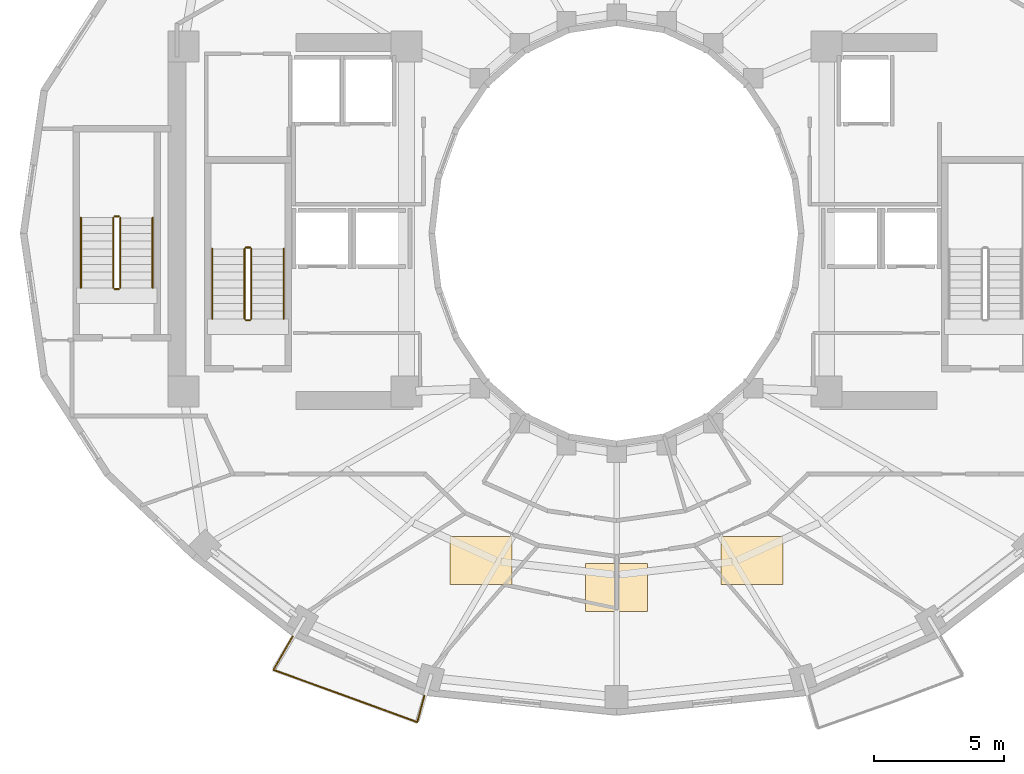
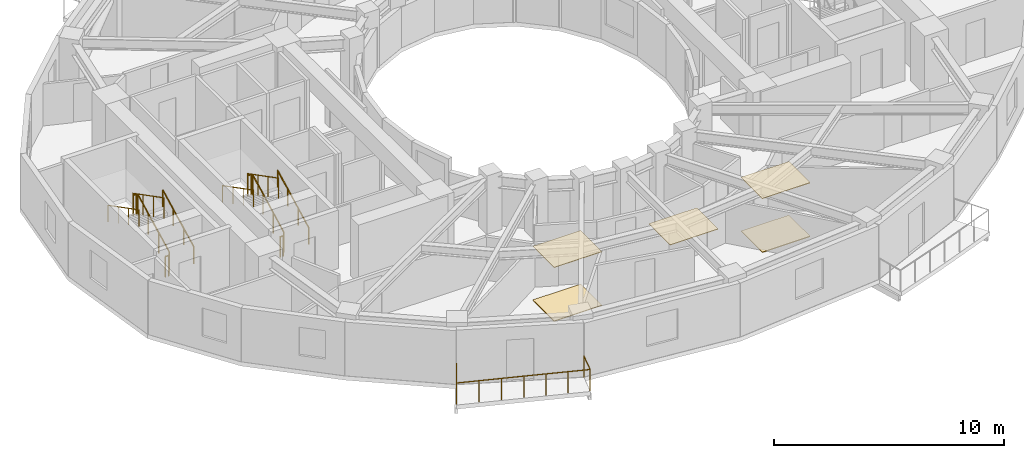
# One storey, part 8 of 10: 13 railings, 5 coverings.
"""IFC4 building model written with IfcOpenShell, lengths in metres."""

from ifc_helpers import new_model, si_unit, direction, frame, origin, origin_2d, place, context, subcontext, project, spatial, polyline, circle, outline, extrude, material, layer, layer_set, type_object, element, save


model = new_model("IFC4")

# Units and contexts
model_context = context("Model", 3, precision=1e-05, world=origin(), true_north=direction((0.0, 1.0)))
body_context = subcontext(model_context, "Body", "Model", "MODEL_VIEW")
ifc_project = project(units=[si_unit("LENGTHUNIT", "METRE"), si_unit("AREAUNIT", "SQUARE_METRE"), si_unit("VOLUMEUNIT", "CUBIC_METRE"), si_unit("PLANEANGLEUNIT", "RADIAN"), si_unit("MASSUNIT", "GRAM", prefix="KILO")], contexts=[model_context])

# Site, building, storey
site_placement = place(None, origin())
site = spatial("IfcSite", under=ifc_project, at=site_placement, CompositionType="ELEMENT")
building_placement = place(site_placement, origin())
building = spatial("IfcBuilding", under=site, at=building_placement, Name="Solvane Sanctuary Tower", CompositionType="ELEMENT")
storey_placement = place(building_placement, frame((0.0, 0.0, 146.699951171875)))
storey = spatial("IfcBuildingStorey", under=building, at=storey_placement, Name="L44", CompositionType="ELEMENT", Elevation=146.699951171875)

# Coverings
ifc_material_1 = material(Name="Acoustic Gypsum Partition Board")
ifc_layer_1 = layer(ifc_material_1, 0.02490234375, Name="Acoustic Gypsum Partition Board")
ifc_layer_set_1 = layer_set([ifc_layer_1], Name="Acoustic Gypsum Partition Board")
covering_type_1 = type_object("IfcCoveringType", Name="Covering CLG-ACOUST", PredefinedType="CEILING", material=ifc_layer_set_1)
covering_1_placement = place(storey_placement, frame((0.0, 0.0, 2.85009765625)))
element("IfcCovering", 1, at=covering_1_placement, inside=storey, type_object=covering_type_1, Name="L44 Unit Acoustic Ceiling Panel 5", PredefinedType="CEILING", context=body_context, shape_type="SweptSolid", body=[
    extrude(outline(polyline([(25.575927734375, 9.464111328125), (27.97607421875, 9.464111328125), (27.97607421875, 11.31396484375), (25.575927734375, 11.31396484375), (25.575927734375, 9.464111328125)])), origin(), (0.0, 0.0, 1.0), 0.030029296875),
])
covering_2_placement = place(storey_placement, frame((0.0, 0.0, 2.85009765625)))
element("IfcCovering", 2, at=covering_2_placement, inside=storey, type_object=covering_type_1, Name="L44 Unit Acoustic Ceiling Panel 6", PredefinedType="CEILING", context=body_context, shape_type="SweptSolid", body=[
    extrude(outline(polyline([(30.800048828125, 8.425048828125), (33.199951171875, 8.425048828125), (33.199951171875, 10.27490234375), (30.800048828125, 10.27490234375), (30.800048828125, 8.425048828125)])), origin(), (0.0, 0.0, 1.0), 0.030029296875),
])
covering_3_placement = place(storey_placement, frame((0.0, 0.0, 2.85009765625)))
element("IfcCovering", 3, at=covering_3_placement, inside=storey, type_object=covering_type_1, Name="L44 Unit Acoustic Ceiling Panel 7", PredefinedType="CEILING", context=body_context, shape_type="SweptSolid", body=[
    extrude(outline(polyline([(36.02392578125, 9.464111328125), (38.424072265625, 9.464111328125), (38.424072265625, 11.31396484375), (36.02392578125, 11.31396484375), (36.02392578125, 9.464111328125)])), origin(), (0.0, 0.0, 1.0), 0.030029296875),
])
ifc_material_2 = material(Name="Ceramic Tile Finish")
ifc_layer_2 = layer(ifc_material_2, 0.030029296875, Name="Ceramic Tile Finish")
ifc_layer_set_2 = layer_set([ifc_layer_2], Name="Ceramic Tile Finish")
covering_type_2 = type_object("IfcCoveringType", Name="Covering FLR-TERRAZZO", PredefinedType="FLOORING", material=ifc_layer_set_2)
covering_4_placement = place(storey_placement, origin())
element("IfcCovering", 4, at=covering_4_placement, inside=storey, type_object=covering_type_2, Name="L44 Unit Terrazzo Inlay 5", PredefinedType="FLOORING", context=body_context, shape_type="SweptSolid", body=[
    extrude(outline(polyline([(25.575927734375, 9.464111328125), (27.97607421875, 9.464111328125), (27.97607421875, 11.31396484375), (25.575927734375, 11.31396484375), (25.575927734375, 9.464111328125)])), origin(), (0.0, 0.0, 1.0), 0.03515625),
])
covering_5_placement = place(storey_placement, origin())
element("IfcCovering", 5, at=covering_5_placement, inside=storey, type_object=covering_type_2, Name="L44 Unit Terrazzo Inlay 7", PredefinedType="FLOORING", context=body_context, shape_type="SweptSolid", body=[
    extrude(outline(polyline([(36.02392578125, 9.464111328125), (38.424072265625, 9.464111328125), (38.424072265625, 11.31396484375), (36.02392578125, 11.31396484375), (36.02392578125, 9.464111328125)])), origin(), (0.0, 0.0, 1.0), 0.03515625),
])

# Railings
ifc_material_3 = material(Name="Architectural Stainless Steel 316", Category="steel")
railing_type_1 = type_object("IfcRailingType", Name="Railing GR-BALC-1150", PredefinedType="BALUSTRADE", material=ifc_material_3)
railing_1_placement = place(storey_placement, frame((19.510986328125, 7.4541015625, 0.0)))
element("IfcRailing", 6, at=railing_1_placement, inside=storey, type_object=railing_type_1, Name="L44 Wave Balcony Balustrade S1", PredefinedType="BALUSTRADE", context=body_context, shape_type="SweptSolid", body=[
    extrude(circle(Radius=0.02392578125, at=origin_2d()), frame((0.0, 0.0, 1.1259765625), z_axis=(-0.500050045296, -0.865996508191, 0.0), x_axis=(0.865996508191, -0.500050045296, 0.0)), (0.0, 0.0, 1.0), 1.483642578125),
    extrude(circle(Radius=0.02392578125, at=origin_2d()), frame((-0.741943359375, -1.284912109375, 1.1259765625), z_axis=(0.940480447831, -0.339847800122, 0.0), x_axis=(0.339847800122, 0.940480447831, 0.0)), (0.0, 0.0, 1.0), 2.979736328125),
    extrude(circle(Radius=0.02392578125, at=origin_2d()), frame((2.060546875, -2.297607421875, 1.1259765625), z_axis=(0.938941980795, -0.344075510173, 0.0), x_axis=(0.344075510173, 0.938941980795, 0.0)), (0.0, 0.0, 1.0), 2.92333984375),
    extrude(circle(Radius=0.02392578125, at=origin_2d()), frame((4.805419921875, -3.303466796875, 1.1259765625), z_axis=(0.258770762506, 0.965938762278, 0.0), x_axis=(-0.965938762278, 0.258770762506, 0.0)), (0.0, 0.0, 1.0), 1.0556640625),
    extrude(circle(Radius=0.02099609375, at=origin_2d()), origin(), (0.0, 0.0, 1.0), 1.101806640625),
    extrude(circle(Radius=0.02099609375, at=origin_2d()), frame((-0.37109375, -0.642578125, 0.0)), (0.0, 0.0, 1.0), 1.101806640625),
    extrude(circle(Radius=0.02099609375, at=origin_2d()), frame((-0.741943359375, -1.284912109375, 0.0)), (0.0, 0.0, 1.0), 1.101806640625),
    extrude(circle(Radius=0.02099609375, at=origin_2d()), frame((0.192138671875, -1.62255859375, 0.0)), (0.0, 0.0, 1.0), 1.101806640625),
    extrude(circle(Radius=0.02099609375, at=origin_2d()), frame((1.12646484375, -1.9599609375, 0.0)), (0.0, 0.0, 1.0), 1.101806640625),
    extrude(circle(Radius=0.02099609375, at=origin_2d()), frame((2.060546875, -2.297607421875, 0.0)), (0.0, 0.0, 1.0), 1.101806640625),
    extrude(circle(Radius=0.02099609375, at=origin_2d()), frame((2.9755859375, -2.6328125, 0.0)), (0.0, 0.0, 1.0), 1.101806640625),
    extrude(circle(Radius=0.02099609375, at=origin_2d()), frame((3.890380859375, -2.96826171875, 0.0)), (0.0, 0.0, 1.0), 1.101806640625),
    extrude(circle(Radius=0.02099609375, at=origin_2d()), frame((4.805419921875, -3.303466796875, 0.0)), (0.0, 0.0, 1.0), 1.101806640625),
    extrude(circle(Radius=0.02099609375, at=origin_2d()), frame((5.07861328125, -2.28369140625, 0.0)), (0.0, 0.0, 1.0), 1.101806640625),
])
railing_2_placement = place(storey_placement, frame((17.919921875, 19.699951171875, 0.155029296875)))
element("IfcRailing", 7, at=railing_2_placement, inside=storey, type_object=railing_type_1, Name="L44 ST-1 stair guard 1", PredefinedType="BALUSTRADE", context=body_context, shape_type="SweptSolid", body=[
    extrude(circle(Radius=0.02392578125, at=origin_2d()), frame((0.0, 0.0, 1.076171875), z_axis=(0.0, 0.888419900624, 0.459031676658), x_axis=(-1.0, 0.0, 0.0)), (0.0, 0.0, 1.0), 3.0390625),
    extrude(circle(Radius=0.02099609375, at=origin_2d()), origin(), (0.0, 0.0, 1.0), 1.052001953125),
    extrude(circle(Radius=0.02099609375, at=origin_2d()), frame((0.0, 0.89990234375, 0.465087890625)), (0.0, 0.0, 1.0), 1.052001953125),
    extrude(circle(Radius=0.02099609375, at=origin_2d()), frame((0.0, 1.800048828125, 0.929931640625)), (0.0, 0.0, 1.0), 1.052001953125),
    extrude(circle(Radius=0.02099609375, at=origin_2d()), frame((0.0, 2.699951171875, 1.39501953125)), (0.0, 0.0, 1.0), 1.052001953125),
])
railing_3_placement = place(storey_placement, frame((17.8701171875, 22.449951171875, 1.550048828125)))
element("IfcRailing", 8, at=railing_3_placement, inside=storey, type_object=railing_type_1, Name="L44 ST-1 stair guard 2", PredefinedType="BALUSTRADE", context=body_context, shape_type="SweptSolid", body=[
    extrude(circle(Radius=0.02392578125, at=origin_2d()), frame((0.0, 0.0, 1.076171875), z_axis=(-1.0, 0.0, 0.0), x_axis=(0.0, -1.0, 0.0)), (0.0, 0.0, 1.0), 0.16015625),
    extrude(circle(Radius=0.02099609375, at=origin_2d()), origin(), (0.0, 0.0, 1.0), 1.052001953125),
    extrude(circle(Radius=0.02099609375, at=origin_2d()), frame((-0.16015625, 0.0, 0.0)), (0.0, 0.0, 1.0), 1.052001953125),
])
railing_4_placement = place(storey_placement, frame((17.659912109375, 22.39990234375, 1.705078125)))
element("IfcRailing", 9, at=railing_4_placement, inside=storey, type_object=railing_type_1, Name="L44 ST-1 stair guard 3", PredefinedType="BALUSTRADE", context=body_context, shape_type="SweptSolid", body=[
    extrude(circle(Radius=0.02392578125, at=origin_2d()), frame((0.0, 0.0, 1.076171875), z_axis=(0.0, -0.888419900624, 0.459031676658), x_axis=(1.0, 0.0, 0.0)), (0.0, 0.0, 1.0), 3.0390625),
    extrude(circle(Radius=0.02099609375, at=origin_2d()), origin(), (0.0, 0.0, 1.0), 1.052001953125),
    extrude(circle(Radius=0.02099609375, at=origin_2d()), frame((0.0, -0.89990234375, 0.465087890625)), (0.0, 0.0, 1.0), 1.052001953125),
    extrude(circle(Radius=0.02099609375, at=origin_2d()), frame((0.0, -1.800048828125, 0.929931640625)), (0.0, 0.0, 1.0), 1.052001953125),
    extrude(circle(Radius=0.02099609375, at=origin_2d()), frame((0.0, -2.699951171875, 1.39501953125)), (0.0, 0.0, 1.0), 1.052001953125),
])
railing_5_placement = place(storey_placement, frame((17.8701171875, 19.64990234375, 0.0)))
element("IfcRailing", 10, at=railing_5_placement, inside=storey, type_object=railing_type_1, Name="L44 ST-1 stair guard 4", PredefinedType="BALUSTRADE", context=body_context, shape_type="SweptSolid", body=[
    extrude(circle(Radius=0.02392578125, at=origin_2d()), frame((0.0, 0.0, 1.076171875), z_axis=(-1.0, 0.0, 0.0), x_axis=(0.0, -1.0, 0.0)), (0.0, 0.0, 1.0), 0.16015625),
    extrude(circle(Radius=0.02099609375, at=origin_2d()), origin(), (0.0, 0.0, 1.0), 1.052001953125),
    extrude(circle(Radius=0.02099609375, at=origin_2d()), frame((-0.16015625, 0.0, 0.0)), (0.0, 0.0, 1.0), 1.052001953125),
])
railing_6_placement = place(storey_placement, frame((12.860107421875, 20.89990234375, 0.155029296875)))
element("IfcRailing", 11, at=railing_6_placement, inside=storey, type_object=railing_type_1, Name="L44 ST-3 stair guard 1", PredefinedType="BALUSTRADE", context=body_context, shape_type="SweptSolid", body=[
    extrude(circle(Radius=0.02392578125, at=origin_2d()), frame((0.0, 0.0, 1.076171875), z_axis=(0.0, 0.888436826113, 0.458998917216), x_axis=(-1.0, 0.0, 0.0)), (0.0, 0.0, 1.0), 3.039306640625),
    extrude(circle(Radius=0.02099609375, at=origin_2d()), origin(), (0.0, 0.0, 1.0), 1.052001953125),
    extrude(circle(Radius=0.02099609375, at=origin_2d()), frame((0.0, 0.900146484375, 0.465087890625)), (0.0, 0.0, 1.0), 1.052001953125),
    extrude(circle(Radius=0.02099609375, at=origin_2d()), frame((0.0, 1.800048828125, 0.929931640625)), (0.0, 0.0, 1.0), 1.052001953125),
    extrude(circle(Radius=0.02099609375, at=origin_2d()), frame((0.0, 2.7001953125, 1.39501953125)), (0.0, 0.0, 1.0), 1.052001953125),
])
railing_7_placement = place(storey_placement, frame((12.81005859375, 23.64990234375, 1.550048828125)))
element("IfcRailing", 12, at=railing_7_placement, inside=storey, type_object=railing_type_1, Name="L44 ST-3 stair guard 2", PredefinedType="BALUSTRADE", context=body_context, shape_type="SweptSolid", body=[
    extrude(circle(Radius=0.02392578125, at=origin_2d()), frame((0.0, 0.0, 1.076171875), z_axis=(-1.0, 0.0, 0.0), x_axis=(0.0, -1.0, 0.0)), (0.0, 0.0, 1.0), 0.16015625),
    extrude(circle(Radius=0.02099609375, at=origin_2d()), origin(), (0.0, 0.0, 1.0), 1.052001953125),
    extrude(circle(Radius=0.02099609375, at=origin_2d()), frame((-0.16015625, 0.0, 0.0)), (0.0, 0.0, 1.0), 1.052001953125),
])
railing_8_placement = place(storey_placement, frame((12.60009765625, 23.60009765625, 1.705078125)))
element("IfcRailing", 13, at=railing_8_placement, inside=storey, type_object=railing_type_1, Name="L44 ST-3 stair guard 3", PredefinedType="BALUSTRADE", context=body_context, shape_type="SweptSolid", body=[
    extrude(circle(Radius=0.02392578125, at=origin_2d()), frame((0.0, 0.0, 1.076171875), z_axis=(0.0, -0.888436826113, 0.458998917216), x_axis=(1.0, 0.0, 0.0)), (0.0, 0.0, 1.0), 3.039306640625),
    extrude(circle(Radius=0.02099609375, at=origin_2d()), origin(), (0.0, 0.0, 1.0), 1.052001953125),
    extrude(circle(Radius=0.02099609375, at=origin_2d()), frame((0.0, -0.900146484375, 0.465087890625)), (0.0, 0.0, 1.0), 1.052001953125),
    extrude(circle(Radius=0.02099609375, at=origin_2d()), frame((0.0, -1.800048828125, 0.929931640625)), (0.0, 0.0, 1.0), 1.052001953125),
    extrude(circle(Radius=0.02099609375, at=origin_2d()), frame((0.0, -2.7001953125, 1.39501953125)), (0.0, 0.0, 1.0), 1.052001953125),
])
railing_9_placement = place(storey_placement, frame((12.81005859375, 20.85009765625, 0.0)))
element("IfcRailing", 14, at=railing_9_placement, inside=storey, type_object=railing_type_1, Name="L44 ST-3 stair guard 4", PredefinedType="BALUSTRADE", context=body_context, shape_type="SweptSolid", body=[
    extrude(circle(Radius=0.02392578125, at=origin_2d()), frame((0.0, 0.0, 1.076171875), z_axis=(-1.0, 0.0, 0.0), x_axis=(0.0, -1.0, 0.0)), (0.0, 0.0, 1.0), 0.16015625),
    extrude(circle(Radius=0.02099609375, at=origin_2d()), origin(), (0.0, 0.0, 1.0), 1.052001953125),
    extrude(circle(Radius=0.02099609375, at=origin_2d()), frame((-0.16015625, 0.0, 0.0)), (0.0, 0.0, 1.0), 1.052001953125),
])
railing_type_2 = type_object("IfcRailingType", Name="Railing HR-STAIR-920", PredefinedType="HANDRAIL", material=ifc_material_3)
railing_10_placement = place(storey_placement, frame((19.169921875, 19.699951171875, 0.155029296875)))
element("IfcRailing", 15, at=railing_10_placement, inside=storey, type_object=railing_type_2, Name="L44 ST-1 stair handrail 1", PredefinedType="HANDRAIL", context=body_context, shape_type="SweptSolid", body=[
    extrude(circle(Radius=0.02392578125, at=origin_2d()), frame((0.0, 0.0, 0.8759765625), z_axis=(0.0, 0.888419900624, 0.459031676658), x_axis=(-1.0, 0.0, 0.0)), (0.0, 0.0, 1.0), 3.0390625),
    extrude(circle(Radius=0.02099609375, at=origin_2d()), origin(), (0.0, 0.0, 1.0), 0.851806640625),
    extrude(circle(Radius=0.02099609375, at=origin_2d()), frame((0.0, 0.89990234375, 0.465087890625)), (0.0, 0.0, 1.0), 0.851806640625),
    extrude(circle(Radius=0.02099609375, at=origin_2d()), frame((0.0, 1.800048828125, 0.929931640625)), (0.0, 0.0, 1.0), 0.851806640625),
    extrude(circle(Radius=0.02099609375, at=origin_2d()), frame((0.0, 2.699951171875, 1.39501953125)), (0.0, 0.0, 1.0), 0.851806640625),
])
railing_11_placement = place(storey_placement, frame((16.409912109375, 22.39990234375, 1.705078125)))
element("IfcRailing", 16, at=railing_11_placement, inside=storey, type_object=railing_type_2, Name="L44 ST-1 stair handrail 2", PredefinedType="HANDRAIL", context=body_context, shape_type="SweptSolid", body=[
    extrude(circle(Radius=0.02392578125, at=origin_2d()), frame((0.0, 0.0, 0.8759765625), z_axis=(0.0, -0.888419900624, 0.459031676658), x_axis=(1.0, 0.0, 0.0)), (0.0, 0.0, 1.0), 3.0390625),
    extrude(circle(Radius=0.02099609375, at=origin_2d()), origin(), (0.0, 0.0, 1.0), 0.851806640625),
    extrude(circle(Radius=0.02099609375, at=origin_2d()), frame((0.0, -0.89990234375, 0.465087890625)), (0.0, 0.0, 1.0), 0.851806640625),
    extrude(circle(Radius=0.02099609375, at=origin_2d()), frame((0.0, -1.800048828125, 0.929931640625)), (0.0, 0.0, 1.0), 0.851806640625),
    extrude(circle(Radius=0.02099609375, at=origin_2d()), frame((0.0, -2.699951171875, 1.39501953125)), (0.0, 0.0, 1.0), 0.851806640625),
])
railing_12_placement = place(storey_placement, frame((14.110107421875, 20.89990234375, 0.155029296875)))
element("IfcRailing", 17, at=railing_12_placement, inside=storey, type_object=railing_type_2, Name="L44 ST-3 stair handrail 1", PredefinedType="HANDRAIL", context=body_context, shape_type="SweptSolid", body=[
    extrude(circle(Radius=0.02392578125, at=origin_2d()), frame((0.0, 0.0, 0.8759765625), z_axis=(0.0, 0.888436826113, 0.458998917216), x_axis=(-1.0, 0.0, 0.0)), (0.0, 0.0, 1.0), 3.039306640625),
    extrude(circle(Radius=0.02099609375, at=origin_2d()), origin(), (0.0, 0.0, 1.0), 0.851806640625),
    extrude(circle(Radius=0.02099609375, at=origin_2d()), frame((0.0, 0.900146484375, 0.465087890625)), (0.0, 0.0, 1.0), 0.851806640625),
    extrude(circle(Radius=0.02099609375, at=origin_2d()), frame((0.0, 1.800048828125, 0.929931640625)), (0.0, 0.0, 1.0), 0.851806640625),
    extrude(circle(Radius=0.02099609375, at=origin_2d()), frame((0.0, 2.7001953125, 1.39501953125)), (0.0, 0.0, 1.0), 0.851806640625),
])
railing_13_placement = place(storey_placement, frame((11.35009765625, 23.60009765625, 1.705078125)))
element("IfcRailing", 18, at=railing_13_placement, inside=storey, type_object=railing_type_2, Name="L44 ST-3 stair handrail 2", PredefinedType="HANDRAIL", context=body_context, shape_type="SweptSolid", body=[
    extrude(circle(Radius=0.02392578125, at=origin_2d()), frame((0.0, 0.0, 0.8759765625), z_axis=(0.0, -0.888436826113, 0.458998917216), x_axis=(1.0, 0.0, 0.0)), (0.0, 0.0, 1.0), 3.039306640625),
    extrude(circle(Radius=0.02099609375, at=origin_2d()), origin(), (0.0, 0.0, 1.0), 0.851806640625),
    extrude(circle(Radius=0.02099609375, at=origin_2d()), frame((0.0, -0.900146484375, 0.465087890625)), (0.0, 0.0, 1.0), 0.851806640625),
    extrude(circle(Radius=0.02099609375, at=origin_2d()), frame((0.0, -1.800048828125, 0.929931640625)), (0.0, 0.0, 1.0), 0.851806640625),
    extrude(circle(Radius=0.02099609375, at=origin_2d()), frame((0.0, -2.7001953125, 1.39501953125)), (0.0, 0.0, 1.0), 0.851806640625),
])

save(model, "model.ifc")
